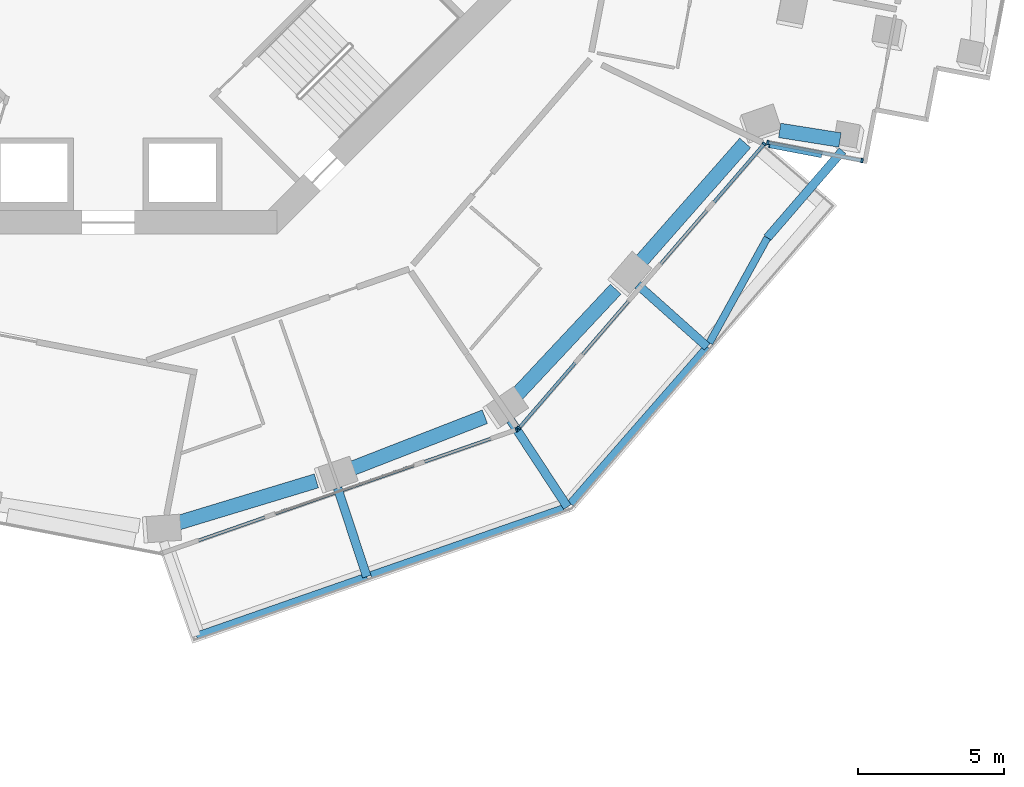
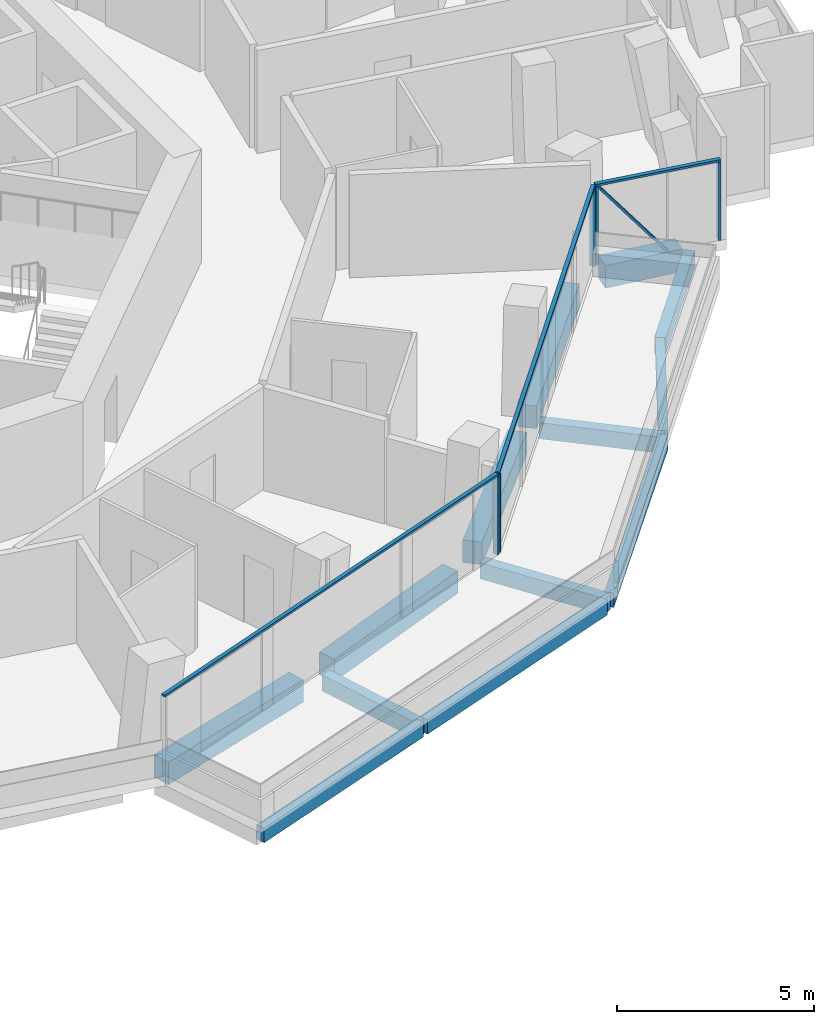
# One storey, part 5 of 23: 13 beams, 9 members, 3 elements without a shape of their own.
"""IFC4 building model written with IfcOpenShell, lengths in metres."""

from ifc_helpers import new_model, si_unit, direction, frame, origin, origin_2d, place, context, subcontext, project, spatial, rectangle, extrude, material, layer, layer_set, material_profile, profile_set, type_object, element, aggregate, save


model = new_model("IFC4")

# Units and contexts
model_context = context("Model", 3, precision=1e-05, world=origin(), true_north=direction((0.0, 1.0)))
body_context = subcontext(model_context, "Body", "Model", "MODEL_VIEW")
ifc_project = project(units=[si_unit("LENGTHUNIT", "METRE"), si_unit("AREAUNIT", "SQUARE_METRE"), si_unit("VOLUMEUNIT", "CUBIC_METRE"), si_unit("PLANEANGLEUNIT", "RADIAN"), si_unit("MASSUNIT", "GRAM", prefix="KILO")], contexts=[model_context])

# Site, building, storey
site_placement = place(None, origin())
site = spatial("IfcSite", under=ifc_project, at=site_placement, CompositionType="ELEMENT")
building_placement = place(site_placement, origin())
building = spatial("IfcBuilding", under=site, at=building_placement, Name="Verdalira Terraces Hotel", CompositionType="ELEMENT")
storey_placement = place(building_placement, frame((0.0, 0.0, 111.5)))
storey = spatial("IfcBuildingStorey", under=building, at=storey_placement, Name="L26", CompositionType="ELEMENT", Elevation=111.5)

# Beams
ifc_material_1 = material(Name="Concrete C40", Category="concrete")
ifc_material_profile_1 = material_profile(ifc_material_1, rectangle(XDim=0.300049, YDim=0.5, at=origin_2d()), Name="RC 300X500")
ifc_profile_set_1 = profile_set([ifc_material_profile_1], Name="Concrete C40")
beam_type_1 = type_object("IfcBeamType", Name="Balcony cantilever beam RC 300X500 C40", PredefinedType="BEAM", material=ifc_profile_set_1)
beam_1_placement = place(storey_placement, frame((7.878906, -22.731201, -0.560059), z_axis=(0.313022516, -0.949745705, 0.0), x_axis=(0.949745705, 0.313022516, 0.0)))
element("IfcBeam", 1, at=beam_1_placement, inside=storey, type_object=beam_type_1, Name="Balcony cantilever beam R26-2", PredefinedType="BEAM", context=body_context, shape_type="SweptSolid", body=[
    extrude(rectangle(XDim=0.300049, YDim=0.5, at=origin_2d()), origin(), (0.0, 0.0, 1.0), 3.200928),
])
beam_2_placement = place(storey_placement, frame((13.821777, -20.401123, -0.560059), z_axis=(0.548128871, -0.836393891, 0.0), x_axis=(0.836393891, 0.548128871, 0.0)))
element("IfcBeam", 2, at=beam_2_placement, inside=storey, type_object=beam_type_1, Name="Balcony cantilever beam R26-3", PredefinedType="BEAM", context=body_context, shape_type="SweptSolid", body=[
    extrude(rectangle(XDim=0.300049, YDim=0.5, at=origin_2d()), origin(), (0.0, 0.0, 1.0), 3.558838),
])
beam_3_placement = place(storey_placement, frame((18.189209, -15.746338, -0.560059), z_axis=(0.74590924, -0.6660476, 0.0), x_axis=(0.6660476, 0.74590924, 0.0)))
element("IfcBeam", 3, at=beam_3_placement, inside=storey, type_object=beam_type_1, Name="Balcony cantilever beam R26-4", PredefinedType="BEAM", context=body_context, shape_type="SweptSolid", body=[
    extrude(rectangle(XDim=0.300049, YDim=0.5, at=origin_2d()), origin(), (0.0, 0.0, 1.0), 3.200684),
])
beam_4_placement = place(storey_placement, frame((25.223389, -11.141846, -0.560059), z_axis=(-0.653444447, -0.756974474, 0.0), x_axis=(0.756974474, -0.653444447, 0.0)))
element("IfcBeam", 4, at=beam_4_placement, inside=storey, type_object=beam_type_1, Name="Balcony cantilever beam R26-5", PredefinedType="BEAM", context=body_context, shape_type="SweptSolid", body=[
    extrude(rectangle(XDim=0.300049, YDim=0.5, at=origin_2d()), origin(), (0.0, 0.0, 1.0), 3.949951),
])
ifc_material_2 = material(Name="Concrete C40", Category="concrete")
ifc_material_profile_2 = material_profile(ifc_material_2, rectangle(XDim=0.25, YDim=0.449951, at=origin_2d()), Name="RC 250X450")
ifc_profile_set_2 = profile_set([ifc_material_profile_2], Name="Concrete C40")
beam_type_2 = type_object("IfcBeamType", Name="Balcony edge beam RC 250X450 C40", PredefinedType="BEAM", material=ifc_profile_set_2)
beam_5_placement = place(storey_placement, frame((3.025635, -27.810303, -0.534912), z_axis=(0.944373487, 0.328874927, 0.0), x_axis=(-0.328874927, 0.944373487, 0.0)))
element("IfcBeam", 5, at=beam_5_placement, inside=storey, type_object=beam_type_2, Name="Balcony edge beam R26-1", PredefinedType="BEAM", context=body_context, shape_type="SweptSolid", body=[
    extrude(rectangle(XDim=0.25, YDim=0.449951, at=origin_2d()), origin(), (0.0, 0.0, 1.0), 6.200195),
])
beam_6_placement = place(storey_placement, frame((9.022705, -25.721924, -0.534912), z_axis=(0.944652169, 0.328073588, 0.0), x_axis=(-0.328073588, 0.944652169, 0.0)))
element("IfcBeam", 6, at=beam_6_placement, inside=storey, type_object=beam_type_2, Name="Balcony edge beam R26-2", PredefinedType="BEAM", context=body_context, shape_type="SweptSolid", body=[
    extrude(rectangle(XDim=0.25, YDim=0.449951, at=origin_2d()), origin(), (0.0, 0.0, 1.0), 6.990723),
])
beam_7_placement = place(storey_placement, frame((15.875, -23.260254, -0.534912), z_axis=(0.657897333, 0.753107628, 0.0), x_axis=(-0.753107628, 0.657897333, 0.0)))
element("IfcBeam", 7, at=beam_7_placement, inside=storey, type_object=beam_type_2, Name="Balcony edge beam R26-3", PredefinedType="BEAM", context=body_context, shape_type="SweptSolid", body=[
    extrude(rectangle(XDim=0.25, YDim=0.449951, at=origin_2d()), origin(), (0.0, 0.0, 1.0), 7.146484),
])
beam_8_placement = place(storey_placement, frame((20.650879, -17.743408, -0.534912), z_axis=(0.482866067, 0.875694217, 0.0), x_axis=(-0.875694217, 0.482866067, 0.0)))
element("IfcBeam", 8, at=beam_8_placement, inside=storey, type_object=beam_type_2, Name="Balcony edge beam R26-4", PredefinedType="BEAM", context=body_context, shape_type="SweptSolid", body=[
    extrude(rectangle(XDim=0.25, YDim=0.449951, at=origin_2d()), origin(), (0.0, 0.0, 1.0), 4.124268),
])

# Curtain wall, member
ifc_material_3 = material(Name="Clear glass", Category="glass")
ifc_layer_1 = layer(ifc_material_3, 0.14990234375)
ifc_layer_set_1 = layer_set([ifc_layer_1], Name="CW1 curtain wall")
curtain_wall_type_1 = type_object("IfcCurtainWallType", Name="CW1 curtain wall", PredefinedType="NOTDEFINED", material=ifc_layer_set_1)
curtain_wall_1_placement = place(storey_placement, origin())
curtain_wall_1 = element("IfcCurtainWall", 9, at=curtain_wall_1_placement, inside=storey, type_object=curtain_wall_type_1, Name="CW1 curtain wall L26 edge 26", PredefinedType="NOTDEFINED")
ifc_material_4 = material(Name="Terracotta frame", Category="masonry")
ifc_material_profile_3 = material_profile(ifc_material_4, rectangle(XDim=0.060059, YDim=0.149902, at=origin_2d()), Name="MU 60x150")
ifc_profile_set_3 = profile_set([ifc_material_profile_3], Name="Terracotta frame")
member_type_1 = type_object("IfcMemberType", Name="CW1 mullion 60x150", PredefinedType="MULLION", material=ifc_profile_set_3)
member_1_placement = place(storey_placement, frame((14.025146, -20.723633, 0.0), z_axis=(0.0, 0.0, 1.0), x_axis=(0.94437637, 0.328866647, 0.0)))
member_1 = element("IfcMember", 10, at=member_1_placement, type_object=member_type_1, Name="CW1 mullion", PredefinedType="MULLION", context=body_context, shape_type="SweptSolid", body=[
    extrude(rectangle(XDim=0.060059, YDim=0.149902, at=origin_2d()), origin(), (0.0, 0.0, 1.0), 2.425049),
])

# Curtain wall, members
curtain_wall_2_placement = place(storey_placement, origin())
curtain_wall_2 = element("IfcCurtainWall", 11, at=curtain_wall_2_placement, inside=storey, type_object=curtain_wall_type_1, Name="CW1 curtain wall L26 edge 27", PredefinedType="NOTDEFINED")
member_2_placement = place(storey_placement, frame((14.105225, -20.669189, 0.0), z_axis=(0.0, 0.0, 1.0), x_axis=(0.653420604, 0.756995056, 0.0)))
member_2 = element("IfcMember", 12, at=member_2_placement, type_object=member_type_1, Name="CW1 mullion", PredefinedType="MULLION", context=body_context, shape_type="SweptSolid", body=[
    extrude(rectangle(XDim=0.060059, YDim=0.149902, at=origin_2d()), origin(), (0.0, 0.0, 1.0), 2.425049),
])
member_3_placement = place(storey_placement, frame((22.53418, -10.904053, 0.0), z_axis=(0.0, 0.0, 1.0), x_axis=(0.653420604, 0.756995056, 0.0)))
member_3 = element("IfcMember", 13, at=member_3_placement, type_object=member_type_1, Name="CW1 mullion", PredefinedType="MULLION", context=body_context, shape_type="SweptSolid", body=[
    extrude(rectangle(XDim=0.060059, YDim=0.149902, at=origin_2d()), origin(), (0.0, 0.0, 1.0), 2.425049),
])

# Member
ifc_material_5 = material(Name="Terracotta frame", Category="masonry")
ifc_material_profile_4 = material_profile(ifc_material_5, rectangle(XDim=0.110107, YDim=0.064941, at=origin_2d()), Name="TR 65x110")
ifc_profile_set_4 = profile_set([ifc_material_profile_4], Name="Terracotta frame")
member_type_2 = type_object("IfcMemberType", Name="CW1 transom 65x110", PredefinedType="USERDEFINED", material=ifc_profile_set_4)
member_4_placement = place(storey_placement, frame((1.814697, -24.97583, 2.45752), z_axis=(0.944377031, 0.328864748, 0.0), x_axis=(-0.328864748, 0.944377031, 0.0)))
member_4 = element("IfcMember", 14, at=member_4_placement, type_object=member_type_2, Name="CW1 transom", ObjectType="TRANSOM", PredefinedType="USERDEFINED", context=body_context, shape_type="SweptSolid", body=[
    extrude(rectangle(XDim=0.110107, YDim=0.064941, at=origin_2d()), origin(), (0.0, 0.0, 1.0), 12.959717),
])

aggregate(curtain_wall_1, [member_1, member_4])

member_5_placement = place(storey_placement, frame((14.085693, -20.691895, 2.45752), z_axis=(0.653421701, 0.756994108, 0.0), x_axis=(-0.756994108, 0.653421701, 0.0)))
member_5 = element("IfcMember", 15, at=member_5_placement, type_object=member_type_2, Name="CW1 transom", ObjectType="TRANSOM", PredefinedType="USERDEFINED", context=body_context, shape_type="SweptSolid", body=[
    extrude(rectangle(XDim=0.110107, YDim=0.064941, at=origin_2d()), origin(), (0.0, 0.0, 1.0), 12.959961),
])

aggregate(curtain_wall_2, [member_2, member_3, member_5])

# Curtain wall, members
ifc_material_6 = material(Name="Clear glass", Category="glass")
ifc_layer_2 = layer(ifc_material_6, 0.14990234375)
ifc_layer_set_2 = layer_set([ifc_layer_2], Name="CW2 curtain wall")
curtain_wall_type_2 = type_object("IfcCurtainWallType", Name="CW2 curtain wall", PredefinedType="NOTDEFINED", material=ifc_layer_set_2)
curtain_wall_3_placement = place(storey_placement, origin())
curtain_wall_3 = element("IfcCurtainWall", 16, at=curtain_wall_3_placement, inside=storey, type_object=curtain_wall_type_2, Name="CW2 curtain wall L26 edge 28", PredefinedType="NOTDEFINED")
ifc_material_7 = material(Name="Terracotta frame", Category="masonry")
ifc_material_profile_5 = material_profile(ifc_material_7, rectangle(XDim=0.070068, YDim=0.149902, at=origin_2d()), Name="MU 70x150")
ifc_profile_set_5 = profile_set([ifc_material_profile_5], Name="Terracotta frame")
member_type_3 = type_object("IfcMemberType", Name="CW2 mullion 70x150", PredefinedType="MULLION", material=ifc_profile_set_5)
member_6_placement = place(storey_placement, frame((22.65918, -10.863281, 0.0), z_axis=(0.0, 0.0, 1.0), x_axis=(0.982287251, -0.187381315, 0.0)))
member_6 = element("IfcMember", 17, at=member_6_placement, type_object=member_type_3, Name="CW2 mullion", PredefinedType="MULLION", context=body_context, shape_type="SweptSolid", body=[
    extrude(rectangle(XDim=0.070068, YDim=0.149902, at=origin_2d()), origin(), (0.0, 0.0, 1.0), 2.425049),
])
member_7_placement = place(storey_placement, frame((25.893799, -11.480469, 0.0), z_axis=(0.0, 0.0, 1.0), x_axis=(0.982287251, -0.187381315, 0.0)))
member_7 = element("IfcMember", 18, at=member_7_placement, type_object=member_type_3, Name="CW2 mullion", PredefinedType="MULLION", context=body_context, shape_type="SweptSolid", body=[
    extrude(rectangle(XDim=0.070068, YDim=0.149902, at=origin_2d()), origin(), (0.0, 0.0, 1.0), 2.425049),
])
ifc_material_8 = material(Name="Terracotta frame", Category="masonry")
ifc_material_profile_6 = material_profile(ifc_material_8, rectangle(XDim=0.11499, YDim=0.064941, at=origin_2d()), Name="TR 65x115")
ifc_profile_set_6 = profile_set([ifc_material_profile_6], Name="Terracotta frame")
member_type_4 = type_object("IfcMemberType", Name="CW2 transom 65x115", PredefinedType="USERDEFINED", material=ifc_profile_set_6)
member_8_placement = place(storey_placement, frame((22.624756, -10.856689, 2.45752), z_axis=(0.982289606, -0.187368966, 0.0), x_axis=(0.187368966, 0.982289606, 0.0)))
member_8 = element("IfcMember", 19, at=member_8_placement, type_object=member_type_4, Name="CW2 transom", ObjectType="TRANSOM", PredefinedType="USERDEFINED", context=body_context, shape_type="SweptSolid", body=[
    extrude(rectangle(XDim=0.11499, YDim=0.064941, at=origin_2d()), origin(), (0.0, 0.0, 1.0), 3.363037),
])
ifc_material_9 = material(Name="Terracotta frame", Category="masonry")
ifc_material_profile_7 = material_profile(ifc_material_9, rectangle(XDim=0.149902, YDim=0.060059, at=origin_2d()), Name="GB 60x150")
ifc_profile_set_7 = profile_set([ifc_material_profile_7], Name="Terracotta frame")
member_type_5 = type_object("IfcMemberType", Name="Diagonal glazing bar 60x150", PredefinedType="USERDEFINED", material=ifc_profile_set_7)
member_9_placement = place(storey_placement, frame((22.700928, -10.963867, 2.392578), z_axis=(0.598474912, -0.114182714, -0.792962853), x_axis=(0.187409058, 0.982281958, 0.0)))
member_9 = element("IfcMember", 20, at=member_9_placement, type_object=member_type_5, Name="Diagonal glazing bar", ObjectType="GLAZING BAR", PredefinedType="USERDEFINED", context=body_context, shape_type="SweptSolid", body=[
    extrude(rectangle(XDim=0.149902, YDim=0.060059, at=origin_2d()), origin(), (0.0, 0.0, 1.0), 2.976318),
])
aggregate(curtain_wall_3, [member_6, member_7, member_8, member_9])

# Beams
ifc_material_10 = material(Name="Concrete C70", Category="concrete")
ifc_material_profile_8 = material_profile(ifc_material_10, rectangle(XDim=0.5, YDim=0.699951, at=origin_2d()), Name="RC 500X700")
ifc_profile_set_8 = profile_set([ifc_material_profile_8], Name="Concrete C70")
beam_type_3 = type_object("IfcBeamType", Name="Spandrel beam RC 500X700 C70", PredefinedType="SPANDREL", material=ifc_profile_set_8)
beam_9_placement = place(storey_placement, frame((2.348633, -23.938721, -0.659912), z_axis=(0.956995743, 0.29010196, 0.0), x_axis=(-0.29010196, 0.956995743, 0.0)))
element("IfcBeam", 21, at=beam_9_placement, inside=storey, type_object=beam_type_3, Name="Spandrel beam B17", PredefinedType="SPANDREL", context=body_context, shape_type="SweptSolid", body=[
    extrude(rectangle(XDim=0.5, YDim=0.699951, at=origin_2d()), origin(), (0.0, 0.0, 1.0), 5.015869),
])
beam_10_placement = place(storey_placement, frame((8.266113, -22.096924, -0.659912), z_axis=(0.931988217, 0.362488571, 0.0), x_axis=(-0.362488571, 0.931988217, 0.0)))
element("IfcBeam", 22, at=beam_10_placement, inside=storey, type_object=beam_type_3, Name="Spandrel beam B18", PredefinedType="SPANDREL", context=body_context, shape_type="SweptSolid", body=[
    extrude(rectangle(XDim=0.5, YDim=0.699951, at=origin_2d()), origin(), (0.0, 0.0, 1.0), 5.012207),
])
beam_11_placement = place(storey_placement, frame((14.003418, -19.557129, -0.659912), z_axis=(0.68373222, 0.729733, 0.0), x_axis=(-0.729733, 0.68373222, 0.0)))
element("IfcBeam", 23, at=beam_11_placement, inside=storey, type_object=beam_type_3, Name="Spandrel beam B19", PredefinedType="SPANDREL", context=body_context, shape_type="SweptSolid", body=[
    extrude(rectangle(XDim=0.5, YDim=0.699951, at=origin_2d()), origin(), (0.0, 0.0, 1.0), 5.015381),
])
beam_12_placement = place(storey_placement, frame((18.215088, -15.035889, -0.659912), z_axis=(0.660767837, 0.750590345, 0.0), x_axis=(-0.750590345, 0.660767837, 0.0)))
element("IfcBeam", 24, at=beam_12_placement, inside=storey, type_object=beam_type_3, Name="Spandrel beam B20", PredefinedType="SPANDREL", context=body_context, shape_type="SweptSolid", body=[
    extrude(rectangle(XDim=0.5, YDim=0.699951, at=origin_2d()), origin(), (0.0, 0.0, 1.0), 5.544678),
])
beam_13_placement = place(storey_placement, frame((23.06543, -10.443359, -0.659912), z_axis=(0.987653256, -0.156655819, 0.0), x_axis=(0.156655819, 0.987653256, 0.0)))
element("IfcBeam", 25, at=beam_13_placement, inside=storey, type_object=beam_type_3, Name="Spandrel beam B21", PredefinedType="SPANDREL", context=body_context, shape_type="SweptSolid", body=[
    extrude(rectangle(XDim=0.5, YDim=0.699951, at=origin_2d()), origin(), (0.0, 0.0, 1.0), 2.097656),
])

save(model, "model.ifc")
